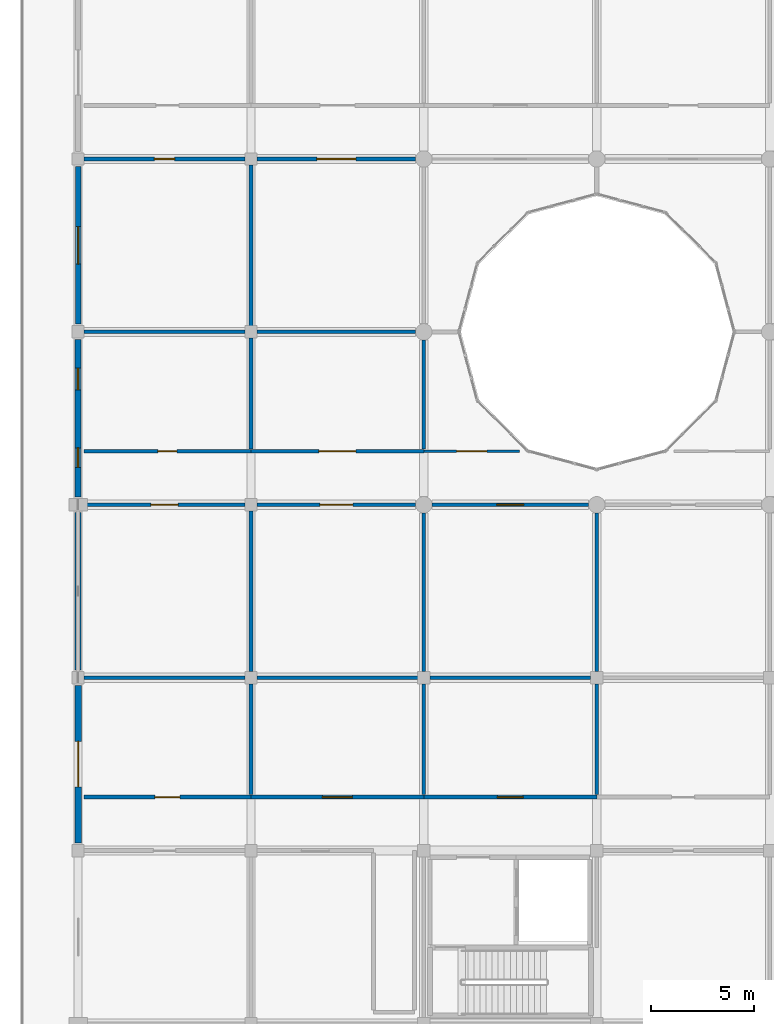
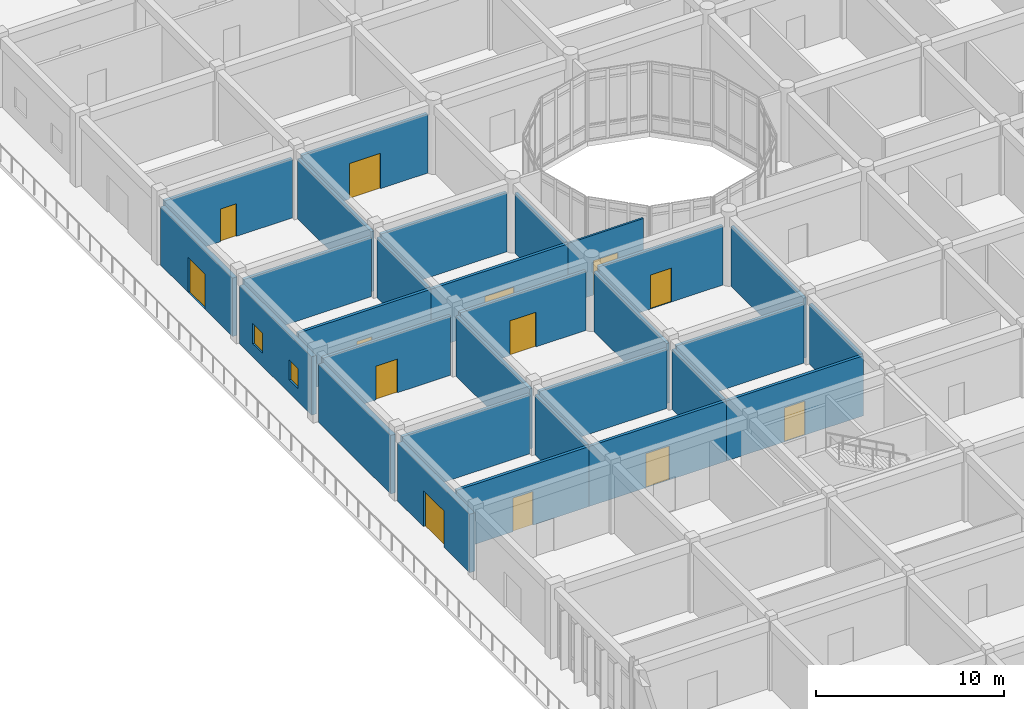
# One storey, part 97 of 138: 29 walls, 13 doors, 2 windows, 15 openings.
"""IFC4 building model written with IfcOpenShell, lengths in metres."""

from ifc_helpers import new_model, si_unit, direction, frame, frame_2d, origin, place, context, subcontext, project, spatial, rectangle, extrude, material, layer, layer_set, type_object, element, fill, save


model = new_model("IFC4")

# Units and contexts
model_context = context("Model", 3, precision=1e-05, world=origin(), true_north=direction((0.0, 1.0)))
body_context = subcontext(model_context, "Body", "Model", "MODEL_VIEW")
ifc_project = project(units=[si_unit("LENGTHUNIT", "METRE"), si_unit("AREAUNIT", "SQUARE_METRE"), si_unit("VOLUMEUNIT", "CUBIC_METRE"), si_unit("PLANEANGLEUNIT", "RADIAN"), si_unit("MASSUNIT", "GRAM", prefix="KILO")], contexts=[model_context])

# Site, building, storey
site_placement = place(None, origin())
site = spatial("IfcSite", under=ifc_project, at=site_placement, CompositionType="ELEMENT")
building_placement = place(site_placement, origin())
building = spatial("IfcBuilding", under=site, at=building_placement, Name="Bramfleet General Hospital", CompositionType="ELEMENT")
storey_placement = place(building_placement, origin())
storey = spatial("IfcBuildingStorey", under=building, at=storey_placement, Name="L00", CompositionType="ELEMENT", Elevation=0.0)

# Wall, opening, door
ifc_material_1 = material(Name="Precast concrete C40/50", Category="concrete")
ifc_layer_1 = layer(ifc_material_1, 0.31494140625, Name="WT-EW-04")
ifc_layer_set_1 = layer_set([ifc_layer_1], Name="Precast concrete C40/50")
wall_type_1 = type_object("IfcWallType", Name="WT-EW-04", PredefinedType="SOLIDWALL", material=ifc_layer_set_1)
wall_1_placement = place(storey_placement, frame((0.0, 59.175048828125, 0.0), z_axis=(0.0, 0.0, 1.0), x_axis=(0.0, 1.0, 0.0)))
wall_1 = element("IfcWall", 1, at=wall_1_placement, inside=storey, type_object=wall_type_1, Name="L00 Exterior Wall 100", PredefinedType="SOLIDWALL", context=body_context, shape_type="SweptSolid", body=[
    extrude(rectangle(XDim=7.64990234375, YDim=0.31494140625, at=frame_2d((3.824951171875, 0.0))), origin(), (0.0, 0.0, 1.0), 3.7900390625),
])
opening_1_placement = place(wall_1_placement, frame((2.72509765625, 0.0, 0.0)))
opening_1 = element("IfcOpeningElement", 2, at=opening_1_placement, cuts=wall_1, Name="Opening D-L00-EXT-004", PredefinedType="OPENING", context=body_context, shape_type="SweptSolid", body=[
    extrude(rectangle(XDim=2.199951171875, YDim=2.35009765625, at=frame_2d((1.10009765625, 1.175048828125))), frame((0.0, 0.16748046875, 0.0), z_axis=(0.0, -1.0, 0.0), x_axis=(1.0, 0.0, 0.0)), (0.0, 0.0, 1.0), 0.3349609375),
])
ifc_material_2 = material(Name="Thermally broken steel and laminated safety glass", Category="steel")
door_type_1 = type_object("IfcDoorType", Name="DR-ED-01", OperationType="NOTDEFINED", PredefinedType="DOOR", material=ifc_material_2)
door_1_placement = place(opening_1_placement, origin())
door_1 = element("IfcDoor", 3, at=door_1_placement, inside=storey, type_object=door_type_1, Name="Ground Exterior Pedestrian Door D-L00-EXT-004", OperationType="DOUBLE_SWING_LEFT", OverallHeight=2.35009765625, OverallWidth=2.199951171875, PredefinedType="DOOR", context=body_context, shape_type="SweptSolid", body=[
    extrude(rectangle(XDim=2.199951171875, YDim=2.35009765625, at=frame_2d((1.10009765625, 1.175048828125))), frame((0.0, 0.02490234375, 0.0), z_axis=(0.0, -1.0, 0.0), x_axis=(1.0, 0.0, 0.0)), (0.0, 0.0, 1.0), 0.050048828125),
])
fill(opening_1, door_1)

# Wall
ifc_layer_2 = layer(ifc_material_1, 0.294921875, Name="WT-EW-05")
ifc_layer_set_2 = layer_set([ifc_layer_2], Name="Precast concrete C40/50")
wall_type_2 = type_object("IfcWallType", Name="WT-EW-05", PredefinedType="SOLIDWALL", material=ifc_layer_set_2)
wall_2_placement = place(storey_placement, frame((0.0, 67.574951171875, 0.0), z_axis=(0.0, 0.0, 1.0), x_axis=(0.0, 1.0, 0.0)))
element("IfcWall", 4, at=wall_2_placement, inside=storey, type_object=wall_type_2, Name="L00 Exterior Wall 101", PredefinedType="SOLIDWALL", context=body_context, shape_type="SweptSolid", body=[
    extrude(rectangle(XDim=7.650146484375, YDim=0.294921875, at=frame_2d((3.8251953125, 0.0))), origin(), (0.0, 0.0, 1.0), 3.7900390625),
])

# Wall, openings, windows
ifc_layer_3 = layer(ifc_material_1, 0.280029296875, Name="WT-EW-06")
ifc_layer_set_3 = layer_set([ifc_layer_3], Name="Precast concrete C40/50")
wall_type_3 = type_object("IfcWallType", Name="WT-EW-06", PredefinedType="SOLIDWALL", material=ifc_layer_set_3)
wall_3_placement = place(storey_placement, frame((0.0, 75.97509765625, 0.0), z_axis=(0.0, 0.0, 1.0), x_axis=(0.0, 1.0, 0.0)))
wall_3 = element("IfcWall", 5, at=wall_3_placement, inside=storey, type_object=wall_type_3, Name="L00 Exterior Wall 102", PredefinedType="SOLIDWALL", context=body_context, shape_type="SweptSolid", body=[
    extrude(rectangle(XDim=7.64990234375, YDim=0.280029296875, at=frame_2d((3.824951171875, 0.0))), origin(), (0.0, 0.0, 1.0), 3.7900390625),
])
opening_2_placement = place(wall_3_placement, frame((1.4375, 0.0, 0.85009765625)))
opening_2 = element("IfcOpeningElement", 6, at=opening_2_placement, cuts=wall_3, Name="Opening W-01", PredefinedType="OPENING", context=body_context, shape_type="SweptSolid", body=[
    extrude(rectangle(XDim=0.949951171875, YDim=1.300048828125, at=frame_2d((0.47509765625, 0.64990234375))), frame((0.0, 0.14990234375, 0.0), z_axis=(0.0, -1.0, 0.0), x_axis=(1.0, 0.0, 0.0)), (0.0, 0.0, 1.0), 0.300048828125),
])
opening_3_placement = place(wall_3_placement, frame((5.21240234375, 0.0, 0.85009765625)))
opening_3 = element("IfcOpeningElement", 7, at=opening_3_placement, cuts=wall_3, Name="Opening W-02", PredefinedType="OPENING", context=body_context, shape_type="SweptSolid", body=[
    extrude(rectangle(XDim=1.050048828125, YDim=1.300048828125, at=frame_2d((0.52490234375, 0.64990234375))), frame((0.0, 0.14990234375, 0.0), z_axis=(0.0, -1.0, 0.0), x_axis=(1.0, 0.0, 0.0)), (0.0, 0.0, 1.0), 0.300048828125),
])
ifc_material_3 = material(Name="Anodised aluminium and low-E triple glazing", Category="aluminium")
window_type_1 = type_object("IfcWindowType", Name="WIN-W-01", PartitioningType="SINGLE_PANEL", PredefinedType="WINDOW", material=ifc_material_3)
window_1_placement = place(opening_2_placement, origin())
window_1 = element("IfcWindow", 8, at=window_1_placement, inside=storey, type_object=window_type_1, Name="L00 Facade Window WIN-L00-102-1", OverallHeight=1.300048828125, OverallWidth=0.949951171875, PartitioningType="SINGLE_PANEL", PredefinedType="WINDOW", context=body_context, shape_type="SweptSolid", body=[
    extrude(rectangle(XDim=0.949951171875, YDim=1.300048828125, at=frame_2d((0.47509765625, 0.64990234375))), frame((0.0, 0.030029296875, 0.0), z_axis=(0.0, -1.0, 0.0), x_axis=(1.0, 0.0, 0.0)), (0.0, 0.0, 1.0), 0.06005859375),
])
fill(opening_2, window_1)
window_type_2 = type_object("IfcWindowType", Name="WIN-W-02", PartitioningType="SINGLE_PANEL", PredefinedType="WINDOW", material=ifc_material_3)
window_2_placement = place(opening_3_placement, origin())
window_2 = element("IfcWindow", 9, at=window_2_placement, inside=storey, type_object=window_type_2, Name="L00 Facade Window WIN-L00-102-2", OverallHeight=1.300048828125, OverallWidth=1.050048828125, PartitioningType="SINGLE_PANEL", PredefinedType="WINDOW", context=body_context, shape_type="SweptSolid", body=[
    extrude(rectangle(XDim=1.050048828125, YDim=1.300048828125, at=frame_2d((0.52490234375, 0.64990234375))), frame((0.0, 0.030029296875, 0.0), z_axis=(0.0, -1.0, 0.0), x_axis=(1.0, 0.0, 0.0)), (0.0, 0.0, 1.0), 0.06005859375),
])
fill(opening_3, window_2)

# Wall, opening, door
ifc_layer_4 = layer(ifc_material_1, 0.264892578125, Name="WT-EW-07")
ifc_layer_set_4 = layer_set([ifc_layer_4], Name="Precast concrete C40/50")
wall_type_4 = type_object("IfcWallType", Name="WT-EW-07", PredefinedType="SOLIDWALL", material=ifc_layer_set_4)
wall_4_placement = place(storey_placement, frame((0.0, 84.375, 0.0), z_axis=(0.0, 0.0, 1.0), x_axis=(0.0, 1.0, 0.0)))
wall_4 = element("IfcWall", 10, at=wall_4_placement, inside=storey, type_object=wall_type_4, Name="L00 Exterior Wall 103", PredefinedType="SOLIDWALL", context=body_context, shape_type="SweptSolid", body=[
    extrude(rectangle(XDim=7.64990234375, YDim=0.264892578125, at=frame_2d((3.824951171875, 0.0))), origin(), (0.0, 0.0, 1.0), 3.7900390625),
])
opening_4_placement = place(wall_4_placement, frame((2.9150390625, 0.0, 0.0)))
opening_4 = element("IfcOpeningElement", 11, at=opening_4_placement, cuts=wall_4, Name="Opening D-L00-EXT-005", PredefinedType="OPENING", context=body_context, shape_type="SweptSolid", body=[
    extrude(rectangle(XDim=1.820068359375, YDim=2.280029296875, at=frame_2d((0.91015625, 1.14013671875))), frame((0.0, 0.142333984375, 0.0), z_axis=(0.0, -1.0, 0.0), x_axis=(1.0, 0.0, 0.0)), (0.0, 0.0, 1.0), 0.284912109375),
])
door_type_2 = type_object("IfcDoorType", Name="DR-ED-02", OperationType="NOTDEFINED", PredefinedType="DOOR", material=ifc_material_2)
door_2_placement = place(opening_4_placement, origin())
door_2 = element("IfcDoor", 12, at=door_2_placement, inside=storey, type_object=door_type_2, Name="Ground Exterior Pedestrian Door D-L00-EXT-005", OperationType="DOUBLE_SWING_LEFT", OverallHeight=2.280029296875, OverallWidth=1.820068359375, PredefinedType="DOOR", context=body_context, shape_type="SweptSolid", body=[
    extrude(rectangle(XDim=1.820068359375, YDim=2.280029296875, at=frame_2d((0.91015625, 1.14013671875))), frame((0.0, 0.02490234375, 0.0), z_axis=(0.0, -1.0, 0.0), x_axis=(1.0, 0.0, 0.0)), (0.0, 0.0, 1.0), 0.050048828125),
])
fill(opening_4, door_2)

ifc_material_4 = material(Name="Concrete C35/45", Category="concrete")
ifc_layer_5 = layer(ifc_material_4, 0.179931640625, Name="WT-IW-04")
ifc_layer_set_5 = layer_set([ifc_layer_5], Name="Concrete C35/45")
wall_type_5 = type_object("IfcWallType", Name="WT-IW-04", PredefinedType="PARTITIONING", material=ifc_layer_set_5)
wall_5_placement = place(storey_placement, frame((0.280029296875, 61.39990234375, 0.0), z_axis=(0.0, 0.0, 1.0), x_axis=(1.0, 0.0, 0.0)))
wall_5 = element("IfcWall", 13, at=wall_5_placement, inside=storey, type_object=wall_type_5, Name="L00 Interior Partition IW-L00-0720", PredefinedType="PARTITIONING", context=body_context, shape_type="SweptSolid", body=[
    extrude(rectangle(XDim=8.119873046875, YDim=0.179931640625, at=frame_2d((4.06005859375, 0.0))), origin(), (0.0, 0.0, 1.0), 3.889892578125),
])
opening_5_placement = place(wall_5_placement, frame((3.449951171875, 0.0, 0.0)))
opening_5 = element("IfcOpeningElement", 14, at=opening_5_placement, cuts=wall_5, Name="Opening D0407", PredefinedType="OPENING", context=body_context, shape_type="SweptSolid", body=[
    extrude(rectangle(XDim=1.219970703125, YDim=2.179931640625, at=frame_2d((0.60986328125, 1.08984375))), frame((0.0, 0.099853515625, 0.0), z_axis=(0.0, -1.0, 0.0), x_axis=(1.0, 0.0, 0.0)), (0.0, 0.0, 1.0), 0.199951171875),
])
ifc_material_5 = material(Name="Stainless steel and acoustic timber leaf", Category="steel")
door_type_3 = type_object("IfcDoorType", Name="DR-D-23", OperationType="NOTDEFINED", PredefinedType="DOOR", material=ifc_material_5)
door_3_placement = place(opening_5_placement, origin())
door_3 = element("IfcDoor", 15, at=door_3_placement, inside=storey, type_object=door_type_3, Name="Diagnostic Imaging CT and Radiography 0007 Door D0407", OperationType="SINGLE_SWING_RIGHT", OverallHeight=2.179931640625, OverallWidth=1.219970703125, PredefinedType="DOOR", context=body_context, shape_type="SweptSolid", body=[
    extrude(rectangle(XDim=1.219970703125, YDim=2.179931640625, at=frame_2d((0.60986328125, 1.08984375))), frame((0.0, 0.02490234375, 0.0), z_axis=(0.0, -1.0, 0.0), x_axis=(1.0, 0.0, 0.0)), (0.0, 0.0, 1.0), 0.050048828125),
])
fill(opening_5, door_3)

wall_6_placement = place(storey_placement, frame((8.39990234375, 61.39990234375, 0.0), z_axis=(0.0, 0.0, 1.0), x_axis=(1.0, 0.0, 0.0)))
wall_6 = element("IfcWall", 16, at=wall_6_placement, inside=storey, type_object=wall_type_5, Name="L00 Interior Partition IW-L00-0721", PredefinedType="PARTITIONING", context=body_context, shape_type="SweptSolid", body=[
    extrude(rectangle(XDim=8.400146484375, YDim=0.179931640625, at=frame_2d((4.2001953125, 0.0))), origin(), (0.0, 0.0, 1.0), 3.889892578125),
])
opening_6_placement = place(wall_6_placement, frame((3.47509765625, 0.0, 0.0)))
opening_6 = element("IfcOpeningElement", 17, at=opening_6_placement, cuts=wall_6, Name="Opening D0419", PredefinedType="OPENING", context=body_context, shape_type="SweptSolid", body=[
    extrude(rectangle(XDim=1.449951171875, YDim=2.199951171875, at=frame_2d((0.72509765625, 1.10009765625))), frame((0.0, 0.099853515625, 0.0), z_axis=(0.0, -1.0, 0.0), x_axis=(1.0, 0.0, 0.0)), (0.0, 0.0, 1.0), 0.199951171875),
])
door_type_4 = type_object("IfcDoorType", Name="DR-D-03", OperationType="NOTDEFINED", PredefinedType="DOOR", material=ifc_material_5)
door_4_placement = place(opening_6_placement, origin())
door_4 = element("IfcDoor", 18, at=door_4_placement, inside=storey, type_object=door_type_4, Name="Diagnostic Imaging CT and Radiography 0107 Door D0419", OperationType="SINGLE_SWING_RIGHT", OverallHeight=2.199951171875, OverallWidth=1.449951171875, PredefinedType="DOOR", context=body_context, shape_type="SweptSolid", body=[
    extrude(rectangle(XDim=1.449951171875, YDim=2.199951171875, at=frame_2d((0.72509765625, 1.10009765625))), frame((0.0, 0.02490234375, 0.0), z_axis=(0.0, -1.0, 0.0), x_axis=(1.0, 0.0, 0.0)), (0.0, 0.0, 1.0), 0.050048828125),
])
fill(opening_6, door_4)

wall_7_placement = place(storey_placement, frame((16.800048828125, 61.39990234375, 0.0), z_axis=(0.0, 0.0, 1.0), x_axis=(1.0, 0.0, 0.0)))
wall_7 = element("IfcWall", 19, at=wall_7_placement, inside=storey, type_object=wall_type_5, Name="L00 Interior Partition IW-L00-0722", PredefinedType="PARTITIONING", context=body_context, shape_type="SweptSolid", body=[
    extrude(rectangle(XDim=8.39990234375, YDim=0.179931640625, at=frame_2d((4.199951171875, 0.0))), origin(), (0.0, 0.0, 1.0), 3.889892578125),
])
opening_7_placement = place(wall_7_placement, frame((3.574951171875, 0.0, 0.0)))
opening_7 = element("IfcOpeningElement", 20, at=opening_7_placement, cuts=wall_7, Name="Opening D0430", PredefinedType="OPENING", context=body_context, shape_type="SweptSolid", body=[
    extrude(rectangle(XDim=1.25, YDim=2.199951171875, at=frame_2d((0.625, 1.10009765625))), frame((0.0, 0.099853515625, 0.0), z_axis=(0.0, -1.0, 0.0), x_axis=(1.0, 0.0, 0.0)), (0.0, 0.0, 1.0), 0.199951171875),
])
door_type_5 = type_object("IfcDoorType", Name="DR-D-14", OperationType="NOTDEFINED", PredefinedType="DOOR", material=ifc_material_5)
door_5_placement = place(opening_7_placement, origin())
door_5 = element("IfcDoor", 21, at=door_5_placement, inside=storey, type_object=door_type_5, Name="Diagnostic Imaging CT and Radiography 0207 Door D0430", OperationType="SINGLE_SWING_LEFT", OverallHeight=2.199951171875, OverallWidth=1.25, PredefinedType="DOOR", context=body_context, shape_type="SweptSolid", body=[
    extrude(rectangle(XDim=1.25, YDim=2.199951171875, at=frame_2d((0.625, 1.10009765625))), frame((0.0, 0.02490234375, 0.0), z_axis=(0.0, -1.0, 0.0), x_axis=(1.0, 0.0, 0.0)), (0.0, 0.0, 1.0), 0.050048828125),
])
fill(opening_7, door_5)

# Walls
wall_8_placement = place(storey_placement, frame((0.294921875, 67.199951171875, 0.0), z_axis=(0.0, 0.0, 1.0), x_axis=(1.0, 0.0, 0.0)))
element("IfcWall", 22, at=wall_8_placement, inside=storey, type_object=wall_type_5, Name="L00 Interior Partition IW-L00-0735", PredefinedType="PARTITIONING", context=body_context, shape_type="SweptSolid", body=[
    extrude(rectangle(XDim=7.81005859375, YDim=0.179931640625, at=frame_2d((3.905029296875, 0.0))), origin(), (0.0, 0.0, 1.0), 3.840087890625),
])
wall_9_placement = place(storey_placement, frame((8.695068359375, 67.199951171875, 0.0), z_axis=(0.0, 0.0, 1.0), x_axis=(1.0, 0.0, 0.0)))
element("IfcWall", 23, at=wall_9_placement, inside=storey, type_object=wall_type_5, Name="L00 Interior Partition IW-L00-0736", PredefinedType="PARTITIONING", context=body_context, shape_type="SweptSolid", body=[
    extrude(rectangle(XDim=7.809814453125, YDim=0.179931640625, at=frame_2d((3.90478515625, 0.0))), origin(), (0.0, 0.0, 1.0), 3.840087890625),
])
wall_10_placement = place(storey_placement, frame((17.094970703125, 67.199951171875, 0.0), z_axis=(0.0, 0.0, 1.0), x_axis=(1.0, 0.0, 0.0)))
element("IfcWall", 24, at=wall_10_placement, inside=storey, type_object=wall_type_5, Name="L00 Interior Partition IW-L00-0737", PredefinedType="PARTITIONING", context=body_context, shape_type="SweptSolid", body=[
    extrude(rectangle(XDim=7.81005859375, YDim=0.179931640625, at=frame_2d((3.905029296875, 0.0))), origin(), (0.0, 0.0, 1.0), 3.840087890625),
])

# Wall, opening, door
wall_11_placement = place(storey_placement, frame((0.294921875, 75.60009765625, 0.0), z_axis=(0.0, 0.0, 1.0), x_axis=(1.0, 0.0, 0.0)))
wall_11 = element("IfcWall", 25, at=wall_11_placement, inside=storey, type_object=wall_type_5, Name="L00 Interior Partition IW-L00-0751", PredefinedType="PARTITIONING", context=body_context, shape_type="SweptSolid", body=[
    extrude(rectangle(XDim=7.81005859375, YDim=0.179931640625, at=frame_2d((3.905029296875, 0.0))), origin(), (0.0, 0.0, 1.0), 3.840087890625),
])
opening_8_placement = place(wall_11_placement, frame((3.2451171875, 0.0, 0.0)))
opening_8 = element("IfcOpeningElement", 26, at=opening_8_placement, cuts=wall_11, Name="Opening D0408", PredefinedType="OPENING", context=body_context, shape_type="SweptSolid", body=[
    extrude(rectangle(XDim=1.320068359375, YDim=2.179931640625, at=frame_2d((0.66015625, 1.08984375))), frame((0.0, 0.099853515625, 0.0), z_axis=(0.0, -1.0, 0.0), x_axis=(1.0, 0.0, 0.0)), (0.0, 0.0, 1.0), 0.199951171875),
])
door_type_6 = type_object("IfcDoorType", Name="DR-D-24", OperationType="NOTDEFINED", PredefinedType="DOOR", material=ifc_material_5)
door_6_placement = place(opening_8_placement, origin())
door_6 = element("IfcDoor", 27, at=door_6_placement, inside=storey, type_object=door_type_6, Name="Diagnostic Imaging MRI Suite 1 Door D0408", OperationType="SINGLE_SWING_LEFT", OverallHeight=2.179931640625, OverallWidth=1.320068359375, PredefinedType="DOOR", context=body_context, shape_type="SweptSolid", body=[
    extrude(rectangle(XDim=1.320068359375, YDim=2.179931640625, at=frame_2d((0.66015625, 1.08984375))), frame((0.0, 0.02490234375, 0.0), z_axis=(0.0, -1.0, 0.0), x_axis=(1.0, 0.0, 0.0)), (0.0, 0.0, 1.0), 0.050048828125),
])
fill(opening_8, door_6)

wall_12_placement = place(storey_placement, frame((8.695068359375, 75.60009765625, 0.0), z_axis=(0.0, 0.0, 1.0), x_axis=(1.0, 0.0, 0.0)))
wall_12 = element("IfcWall", 28, at=wall_12_placement, inside=storey, type_object=wall_type_5, Name="L00 Interior Partition IW-L00-0752", PredefinedType="PARTITIONING", context=body_context, shape_type="SweptSolid", body=[
    extrude(rectangle(XDim=7.7099609375, YDim=0.179931640625, at=frame_2d((3.85498046875, 0.0))), origin(), (0.0, 0.0, 1.0), 3.840087890625),
])
opening_9_placement = place(wall_12_placement, frame((3.054931640625, 0.0, 0.0)))
opening_9 = element("IfcOpeningElement", 29, at=opening_9_placement, cuts=wall_12, Name="Opening D0420", PredefinedType="OPENING", context=body_context, shape_type="SweptSolid", body=[
    extrude(rectangle(XDim=1.60009765625, YDim=2.25, at=frame_2d((0.800048828125, 1.125))), frame((0.0, 0.099853515625, 0.0), z_axis=(0.0, -1.0, 0.0), x_axis=(1.0, 0.0, 0.0)), (0.0, 0.0, 1.0), 0.199951171875),
])
door_type_7 = type_object("IfcDoorType", Name="DR-D-04", OperationType="NOTDEFINED", PredefinedType="DOOR", material=ifc_material_5)
door_7_placement = place(opening_9_placement, origin())
door_7 = element("IfcDoor", 30, at=door_7_placement, inside=storey, type_object=door_type_7, Name="Diagnostic Imaging MRI Suite 2 Door D0420", OperationType="DOUBLE_SWING_LEFT", OverallHeight=2.25, OverallWidth=1.60009765625, PredefinedType="DOOR", context=body_context, shape_type="SweptSolid", body=[
    extrude(rectangle(XDim=1.60009765625, YDim=2.25, at=frame_2d((0.800048828125, 1.125))), frame((0.0, 0.02490234375, 0.0), z_axis=(0.0, -1.0, 0.0), x_axis=(1.0, 0.0, 0.0)), (0.0, 0.0, 1.0), 0.050048828125),
])
fill(opening_9, door_7)

wall_13_placement = place(storey_placement, frame((17.195068359375, 75.60009765625, 0.0), z_axis=(0.0, 0.0, 1.0), x_axis=(1.0, 0.0, 0.0)))
wall_13 = element("IfcWall", 31, at=wall_13_placement, inside=storey, type_object=wall_type_5, Name="L00 Interior Partition IW-L00-0753", PredefinedType="PARTITIONING", context=body_context, shape_type="SweptSolid", body=[
    extrude(rectangle(XDim=7.60986328125, YDim=0.179931640625, at=frame_2d((3.804931640625, 0.0))), origin(), (0.0, 0.0, 1.0), 3.840087890625),
])
opening_10_placement = place(wall_13_placement, frame((3.155029296875, 0.0, 0.0)))
opening_10 = element("IfcOpeningElement", 32, at=opening_10_placement, cuts=wall_13, Name="Opening D0431", PredefinedType="OPENING", context=body_context, shape_type="SweptSolid", body=[
    extrude(rectangle(XDim=1.300048828125, YDim=2.199951171875, at=frame_2d((0.64990234375, 1.10009765625))), frame((0.0, 0.099853515625, 0.0), z_axis=(0.0, -1.0, 0.0), x_axis=(1.0, 0.0, 0.0)), (0.0, 0.0, 1.0), 0.199951171875),
])
door_type_8 = type_object("IfcDoorType", Name="DR-D-15", OperationType="NOTDEFINED", PredefinedType="DOOR", material=ifc_material_5)
door_8_placement = place(opening_10_placement, origin())
door_8 = element("IfcDoor", 33, at=door_8_placement, inside=storey, type_object=door_type_8, Name="Diagnostic Imaging MRI Suite 3 Door D0431", OperationType="SINGLE_SWING_RIGHT", OverallHeight=2.199951171875, OverallWidth=1.300048828125, PredefinedType="DOOR", context=body_context, shape_type="SweptSolid", body=[
    extrude(rectangle(XDim=1.300048828125, YDim=2.199951171875, at=frame_2d((0.64990234375, 1.10009765625))), frame((0.0, 0.02490234375, 0.0), z_axis=(0.0, -1.0, 0.0), x_axis=(1.0, 0.0, 0.0)), (0.0, 0.0, 1.0), 0.050048828125),
])
fill(opening_10, door_8)

wall_14_placement = place(storey_placement, frame((0.280029296875, 78.199951171875, 0.0), z_axis=(0.0, 0.0, 1.0), x_axis=(1.0, 0.0, 0.0)))
wall_14 = element("IfcWall", 34, at=wall_14_placement, inside=storey, type_object=wall_type_5, Name="L00 Interior Partition IW-L00-0764", PredefinedType="PARTITIONING", context=body_context, shape_type="SweptSolid", body=[
    extrude(rectangle(XDim=8.119873046875, YDim=0.179931640625, at=frame_2d((4.06005859375, 0.0))), origin(), (0.0, 0.0, 1.0), 3.889892578125),
])
opening_11_placement = place(wall_14_placement, frame((3.60009765625, 0.0, 0.0)))
opening_11 = element("IfcOpeningElement", 35, at=opening_11_placement, cuts=wall_14, Name="Opening D0409", PredefinedType="OPENING", context=body_context, shape_type="SweptSolid", body=[
    extrude(rectangle(XDim=0.919921875, YDim=2.080078125, at=frame_2d((0.4599609375, 1.0400390625))), frame((0.0, 0.099853515625, 0.0), z_axis=(0.0, -1.0, 0.0), x_axis=(1.0, 0.0, 0.0)), (0.0, 0.0, 1.0), 0.199951171875),
])
door_type_9 = type_object("IfcDoorType", Name="DR-D-25", OperationType="NOTDEFINED", PredefinedType="DOOR", material=ifc_material_5)
door_9_placement = place(opening_11_placement, origin())
door_9 = element("IfcDoor", 36, at=door_9_placement, inside=storey, type_object=door_type_9, Name="Diagnostic Imaging CT and Radiography 0009 Door D0409", OperationType="SINGLE_SWING_RIGHT", OverallHeight=2.080078125, OverallWidth=0.919921875, PredefinedType="DOOR", context=body_context, shape_type="SweptSolid", body=[
    extrude(rectangle(XDim=0.919921875, YDim=2.080078125, at=frame_2d((0.4599609375, 1.0400390625))), frame((0.0, 0.02490234375, 0.0), z_axis=(0.0, -1.0, 0.0), x_axis=(1.0, 0.0, 0.0)), (0.0, 0.0, 1.0), 0.050048828125),
])
fill(opening_11, door_9)

wall_15_placement = place(storey_placement, frame((8.39990234375, 78.199951171875, 0.0), z_axis=(0.0, 0.0, 1.0), x_axis=(1.0, 0.0, 0.0)))
wall_15 = element("IfcWall", 37, at=wall_15_placement, inside=storey, type_object=wall_type_5, Name="L00 Interior Partition IW-L00-0765", PredefinedType="PARTITIONING", context=body_context, shape_type="SweptSolid", body=[
    extrude(rectangle(XDim=8.400146484375, YDim=0.179931640625, at=frame_2d((4.2001953125, 0.0))), origin(), (0.0, 0.0, 1.0), 3.889892578125),
])
opening_12_placement = place(wall_15_placement, frame((3.300048828125, 0.0, 0.0)))
opening_12 = element("IfcOpeningElement", 38, at=opening_12_placement, cuts=wall_15, Name="Opening D0421", PredefinedType="OPENING", context=body_context, shape_type="SweptSolid", body=[
    extrude(rectangle(XDim=1.800048828125, YDim=2.25, at=frame_2d((0.89990234375, 1.125))), frame((0.0, 0.099853515625, 0.0), z_axis=(0.0, -1.0, 0.0), x_axis=(1.0, 0.0, 0.0)), (0.0, 0.0, 1.0), 0.199951171875),
])
door_type_10 = type_object("IfcDoorType", Name="DR-D-05", OperationType="NOTDEFINED", PredefinedType="DOOR", material=ifc_material_5)
door_10_placement = place(opening_12_placement, origin())
door_10 = element("IfcDoor", 39, at=door_10_placement, inside=storey, type_object=door_type_10, Name="Diagnostic Imaging CT and Radiography 0109 Door D0421", OperationType="DOUBLE_SWING_RIGHT", OverallHeight=2.25, OverallWidth=1.800048828125, PredefinedType="DOOR", context=body_context, shape_type="SweptSolid", body=[
    extrude(rectangle(XDim=1.800048828125, YDim=2.25, at=frame_2d((0.89990234375, 1.125))), frame((0.0, 0.02490234375, 0.0), z_axis=(0.0, -1.0, 0.0), x_axis=(1.0, 0.0, 0.0)), (0.0, 0.0, 1.0), 0.050048828125),
])
fill(opening_12, door_10)

# Walls
wall_16_placement = place(storey_placement, frame((0.294921875, 84.0, 0.0), z_axis=(0.0, 0.0, 1.0), x_axis=(1.0, 0.0, 0.0)))
element("IfcWall", 40, at=wall_16_placement, inside=storey, type_object=wall_type_5, Name="L00 Interior Partition IW-L00-0781", PredefinedType="PARTITIONING", context=body_context, shape_type="SweptSolid", body=[
    extrude(rectangle(XDim=7.81005859375, YDim=0.179931640625, at=frame_2d((3.905029296875, 0.0))), origin(), (0.0, 0.0, 1.0), 3.840087890625),
])
wall_17_placement = place(storey_placement, frame((8.695068359375, 84.0, 0.0), z_axis=(0.0, 0.0, 1.0), x_axis=(1.0, 0.0, 0.0)))
element("IfcWall", 41, at=wall_17_placement, inside=storey, type_object=wall_type_5, Name="L00 Interior Partition IW-L00-0782", PredefinedType="PARTITIONING", context=body_context, shape_type="SweptSolid", body=[
    extrude(rectangle(XDim=7.7099609375, YDim=0.179931640625, at=frame_2d((3.85498046875, 0.0))), origin(), (0.0, 0.0, 1.0), 3.840087890625),
])

# Wall, opening, door
wall_18_placement = place(storey_placement, frame((0.294921875, 92.39990234375, 0.0), z_axis=(0.0, 0.0, 1.0), x_axis=(1.0, 0.0, 0.0)))
wall_18 = element("IfcWall", 42, at=wall_18_placement, inside=storey, type_object=wall_type_5, Name="L00 Interior Partition IW-L00-0800", PredefinedType="PARTITIONING", context=body_context, shape_type="SweptSolid", body=[
    extrude(rectangle(XDim=7.81005859375, YDim=0.179931640625, at=frame_2d((3.905029296875, 0.0))), origin(), (0.0, 0.0, 1.0), 3.840087890625),
])
opening_13_placement = place(wall_18_placement, frame((3.4150390625, 0.0, 0.0)))
opening_13 = element("IfcOpeningElement", 43, at=opening_13_placement, cuts=wall_18, Name="Opening D0410", PredefinedType="OPENING", context=body_context, shape_type="SweptSolid", body=[
    extrude(rectangle(XDim=0.97998046875, YDim=2.1201171875, at=frame_2d((0.489990234375, 1.06005859375))), frame((0.0, 0.099853515625, 0.0), z_axis=(0.0, -1.0, 0.0), x_axis=(1.0, 0.0, 0.0)), (0.0, 0.0, 1.0), 0.199951171875),
])
door_type_11 = type_object("IfcDoorType", Name="DR-D-26", OperationType="NOTDEFINED", PredefinedType="DOOR", material=ifc_material_5)
door_11_placement = place(opening_13_placement, origin())
door_11 = element("IfcDoor", 44, at=door_11_placement, inside=storey, type_object=door_type_11, Name="Diagnostic Imaging CT and Radiography 0010 Door D0410", OperationType="SINGLE_SWING_LEFT", OverallHeight=2.1201171875, OverallWidth=0.97998046875, PredefinedType="DOOR", context=body_context, shape_type="SweptSolid", body=[
    extrude(rectangle(XDim=0.97998046875, YDim=2.1201171875, at=frame_2d((0.489990234375, 1.06005859375))), frame((0.0, 0.02490234375, 0.0), z_axis=(0.0, -1.0, 0.0), x_axis=(1.0, 0.0, 0.0)), (0.0, 0.0, 1.0), 0.050048828125),
])
fill(opening_13, door_11)

wall_19_placement = place(storey_placement, frame((8.695068359375, 92.39990234375, 0.0), z_axis=(0.0, 0.0, 1.0), x_axis=(1.0, 0.0, 0.0)))
wall_19 = element("IfcWall", 45, at=wall_19_placement, inside=storey, type_object=wall_type_5, Name="L00 Interior Partition IW-L00-0801", PredefinedType="PARTITIONING", context=body_context, shape_type="SweptSolid", body=[
    extrude(rectangle(XDim=7.7099609375, YDim=0.179931640625, at=frame_2d((3.85498046875, 0.0))), origin(), (0.0, 0.0, 1.0), 3.840087890625),
])
opening_14_placement = place(wall_19_placement, frame((2.905029296875, 0.0, 0.0)))
opening_14 = element("IfcOpeningElement", 46, at=opening_14_placement, cuts=wall_19, Name="Opening D0422", PredefinedType="OPENING", context=body_context, shape_type="SweptSolid", body=[
    extrude(rectangle(XDim=1.89990234375, YDim=2.300048828125, at=frame_2d((0.949951171875, 1.14990234375))), frame((0.0, 0.099853515625, 0.0), z_axis=(0.0, -1.0, 0.0), x_axis=(1.0, 0.0, 0.0)), (0.0, 0.0, 1.0), 0.199951171875),
])
door_type_12 = type_object("IfcDoorType", Name="DR-D-06", OperationType="NOTDEFINED", PredefinedType="DOOR", material=ifc_material_5)
door_12_placement = place(opening_14_placement, origin())
door_12 = element("IfcDoor", 47, at=door_12_placement, inside=storey, type_object=door_type_12, Name="Diagnostic Imaging CT and Radiography 0110 Door D0422", OperationType="DOUBLE_SWING_LEFT", OverallHeight=2.300048828125, OverallWidth=1.89990234375, PredefinedType="DOOR", context=body_context, shape_type="SweptSolid", body=[
    extrude(rectangle(XDim=1.89990234375, YDim=2.300048828125, at=frame_2d((0.949951171875, 1.14990234375))), frame((0.0, 0.02490234375, 0.0), z_axis=(0.0, -1.0, 0.0), x_axis=(1.0, 0.0, 0.0)), (0.0, 0.0, 1.0), 0.050048828125),
])
fill(opening_14, door_12)

# Walls
wall_20_placement = place(storey_placement, frame((8.39990234375, 61.514892578125, 0.0), z_axis=(0.0, 0.0, 1.0), x_axis=(0.0, 1.0, 0.0)))
element("IfcWall", 48, at=wall_20_placement, inside=storey, type_object=wall_type_5, Name="L00 Interior Partition IW-L00-0917", PredefinedType="PARTITIONING", context=body_context, shape_type="SweptSolid", body=[
    extrude(rectangle(XDim=5.39013671875, YDim=0.179931640625, at=frame_2d((2.695068359375, 0.0))), origin(), (0.0, 0.0, 1.0), 3.889892578125),
])
wall_21_placement = place(storey_placement, frame((8.39990234375, 67.4951171875, 0.0), z_axis=(0.0, 0.0, 1.0), x_axis=(0.0, 1.0, 0.0)))
element("IfcWall", 49, at=wall_21_placement, inside=storey, type_object=wall_type_5, Name="L00 Interior Partition IW-L00-0918", PredefinedType="PARTITIONING", context=body_context, shape_type="SweptSolid", body=[
    extrude(rectangle(XDim=7.809814453125, YDim=0.179931640625, at=frame_2d((3.90478515625, 0.0))), origin(), (0.0, 0.0, 1.0), 3.889892578125),
])
wall_22_placement = place(storey_placement, frame((8.39990234375, 78.31494140625, 0.0), z_axis=(0.0, 0.0, 1.0), x_axis=(0.0, 1.0, 0.0)))
element("IfcWall", 50, at=wall_22_placement, inside=storey, type_object=wall_type_5, Name="L00 Interior Partition IW-L00-0919", PredefinedType="PARTITIONING", context=body_context, shape_type="SweptSolid", body=[
    extrude(rectangle(XDim=5.39013671875, YDim=0.179931640625, at=frame_2d((2.695068359375, 0.0))), origin(), (0.0, 0.0, 1.0), 3.889892578125),
])
wall_23_placement = place(storey_placement, frame((8.39990234375, 84.294921875, 0.0), z_axis=(0.0, 0.0, 1.0), x_axis=(0.0, 1.0, 0.0)))
element("IfcWall", 51, at=wall_23_placement, inside=storey, type_object=wall_type_5, Name="L00 Interior Partition IW-L00-0920", PredefinedType="PARTITIONING", context=body_context, shape_type="SweptSolid", body=[
    extrude(rectangle(XDim=7.81005859375, YDim=0.179931640625, at=frame_2d((3.905029296875, 0.0))), origin(), (0.0, 0.0, 1.0), 3.889892578125),
])
wall_24_placement = place(storey_placement, frame((16.800048828125, 61.514892578125, 0.0), z_axis=(0.0, 0.0, 1.0), x_axis=(0.0, 1.0, 0.0)))
element("IfcWall", 52, at=wall_24_placement, inside=storey, type_object=wall_type_5, Name="L00 Interior Partition IW-L00-0931", PredefinedType="PARTITIONING", context=body_context, shape_type="SweptSolid", body=[
    extrude(rectangle(XDim=5.39013671875, YDim=0.179931640625, at=frame_2d((2.695068359375, 0.0))), origin(), (0.0, 0.0, 1.0), 3.889892578125),
])
wall_25_placement = place(storey_placement, frame((16.800048828125, 67.4951171875, 0.0), z_axis=(0.0, 0.0, 1.0), x_axis=(0.0, 1.0, 0.0)))
element("IfcWall", 53, at=wall_25_placement, inside=storey, type_object=wall_type_5, Name="L00 Interior Partition IW-L00-0932", PredefinedType="PARTITIONING", context=body_context, shape_type="SweptSolid", body=[
    extrude(rectangle(XDim=7.7099609375, YDim=0.179931640625, at=frame_2d((3.85498046875, 0.0))), origin(), (0.0, 0.0, 1.0), 3.889892578125),
])
wall_26_placement = place(storey_placement, frame((16.800048828125, 78.31494140625, 0.0), z_axis=(0.0, 0.0, 1.0), x_axis=(0.0, 1.0, 0.0)))
element("IfcWall", 54, at=wall_26_placement, inside=storey, type_object=wall_type_5, Name="L00 Interior Partition IW-L00-0933", PredefinedType="PARTITIONING", context=body_context, shape_type="SweptSolid", body=[
    extrude(rectangle(XDim=5.2900390625, YDim=0.179931640625, at=frame_2d((2.64501953125, 0.0))), origin(), (0.0, 0.0, 1.0), 3.889892578125),
])
wall_27_placement = place(storey_placement, frame((25.199951171875, 61.514892578125, 0.0), z_axis=(0.0, 0.0, 1.0), x_axis=(0.0, 1.0, 0.0)))
element("IfcWall", 55, at=wall_27_placement, inside=storey, type_object=wall_type_5, Name="L00 Interior Partition IW-L00-0947", PredefinedType="PARTITIONING", context=body_context, shape_type="SweptSolid", body=[
    extrude(rectangle(XDim=5.39013671875, YDim=0.179931640625, at=frame_2d((2.695068359375, 0.0))), origin(), (0.0, 0.0, 1.0), 3.889892578125),
])
wall_28_placement = place(storey_placement, frame((25.199951171875, 67.4951171875, 0.0), z_axis=(0.0, 0.0, 1.0), x_axis=(0.0, 1.0, 0.0)))
element("IfcWall", 56, at=wall_28_placement, inside=storey, type_object=wall_type_5, Name="L00 Interior Partition IW-L00-0948", PredefinedType="PARTITIONING", context=body_context, shape_type="SweptSolid", body=[
    extrude(rectangle(XDim=7.7099609375, YDim=0.179931640625, at=frame_2d((3.85498046875, 0.0))), origin(), (0.0, 0.0, 1.0), 3.889892578125),
])

# Wall, opening, door
ifc_material_6 = material(Name="Gypsum plasterboard on acoustic steel studs", Category="steel")
ifc_layer_6 = layer(ifc_material_6, 0.1201171875, Name="WT-IW-10")
ifc_layer_set_6 = layer_set([ifc_layer_6], Name="Gypsum plasterboard on acoustic steel studs")
wall_type_6 = type_object("IfcWallType", Name="WT-IW-10", PredefinedType="PARTITIONING", material=ifc_layer_set_6)
wall_29_placement = place(storey_placement, frame((16.800048828125, 78.199951171875, 0.0), z_axis=(0.0, 0.0, 1.0), x_axis=(1.0, 0.0, 0.0)))
wall_29 = element("IfcWall", 57, at=wall_29_placement, inside=storey, type_object=wall_type_6, Name="L00 Interior Partition IW-L00-0766", PredefinedType="PARTITIONING", context=body_context, shape_type="SweptSolid", body=[
    extrude(rectangle(XDim=4.65185546875, YDim=0.1201171875, at=frame_2d((2.325927734375, 0.0))), origin(), (0.0, 0.0, 1.0), 3.889892578125),
])
opening_15_placement = place(wall_29_placement, frame((1.5859375, 0.0, 0.0)))
opening_15 = element("IfcOpeningElement", 58, at=opening_15_placement, cuts=wall_29, Name="Opening D0432", PredefinedType="OPENING", context=body_context, shape_type="SweptSolid", body=[
    extrude(rectangle(XDim=1.47998046875, YDim=2.219970703125, at=frame_2d((0.739990234375, 1.10986328125))), frame((0.0, 0.070068359375, 0.0), z_axis=(0.0, -1.0, 0.0), x_axis=(1.0, 0.0, 0.0)), (0.0, 0.0, 1.0), 0.14013671875),
])
door_type_13 = type_object("IfcDoorType", Name="DR-D-16", OperationType="NOTDEFINED", PredefinedType="DOOR", material=ifc_material_5)
door_13_placement = place(opening_15_placement, origin())
door_13 = element("IfcDoor", 59, at=door_13_placement, inside=storey, type_object=door_type_13, Name="Courtyard Waiting Lounge L00-0209 Door D0432", OperationType="SINGLE_SWING_LEFT", OverallHeight=2.219970703125, OverallWidth=1.47998046875, PredefinedType="DOOR", context=body_context, shape_type="SweptSolid", body=[
    extrude(rectangle(XDim=1.47998046875, YDim=2.219970703125, at=frame_2d((0.739990234375, 1.10986328125))), frame((0.0, 0.02490234375, 0.0), z_axis=(0.0, -1.0, 0.0), x_axis=(1.0, 0.0, 0.0)), (0.0, 0.0, 1.0), 0.050048828125),
])
fill(opening_15, door_13)

save(model, "model.ifc")
